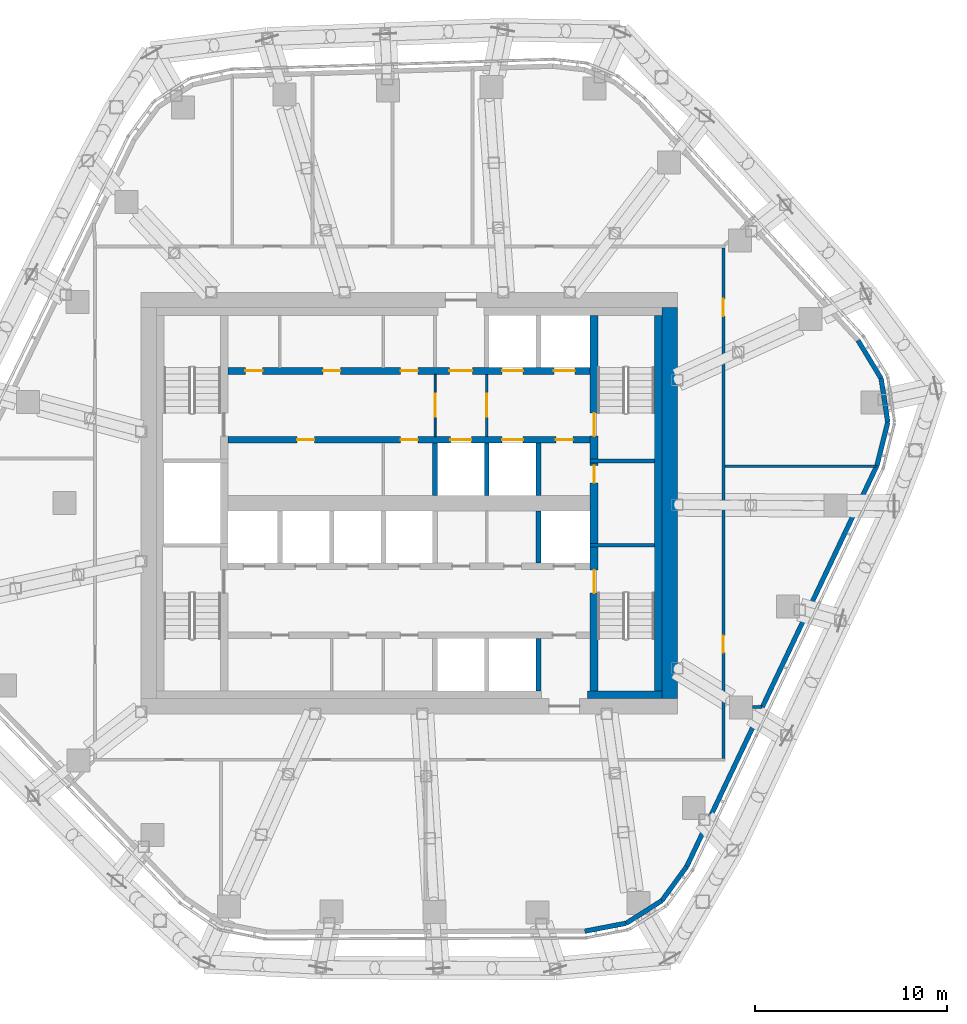
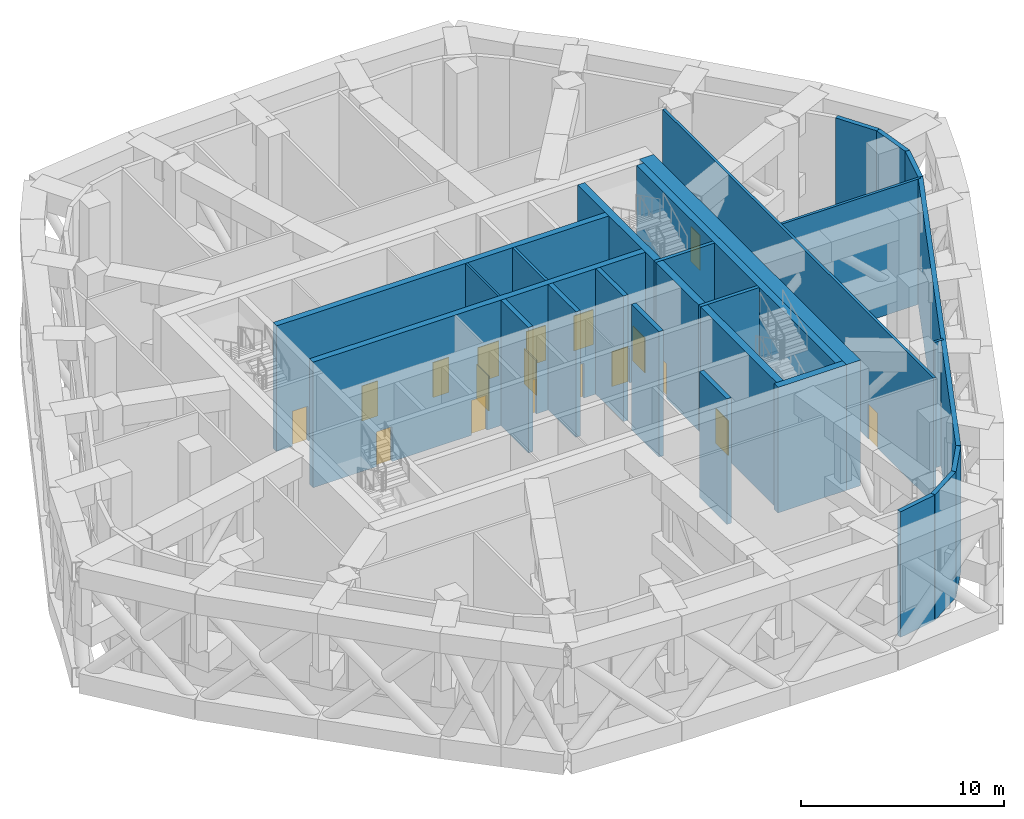
# One storey, part 12 of 21: 27 walls, 18 doors, 18 openings.
"""IFC4 building model written with IfcOpenShell, lengths in metres."""

from ifc_helpers import new_model, si_unit, direction, frame, frame_2d, origin, place, context, subcontext, project, spatial, rectangle, extrude, material, layer, layer_set, type_object, element, fill, save


model = new_model("IFC4")

# Units and contexts
model_context = context("Model", 3, precision=1e-05, world=origin(), true_north=direction((0.0, 1.0)))
body_context = subcontext(model_context, "Body", "Model", "MODEL_VIEW")
ifc_project = project(units=[si_unit("LENGTHUNIT", "METRE"), si_unit("AREAUNIT", "SQUARE_METRE"), si_unit("VOLUMEUNIT", "CUBIC_METRE"), si_unit("PLANEANGLEUNIT", "RADIAN"), si_unit("MASSUNIT", "GRAM", prefix="KILO")], contexts=[model_context])

# Site, building, storey
site_placement = place(None, origin())
site = spatial("IfcSite", under=ifc_project, at=site_placement, CompositionType="ELEMENT")
building_placement = place(site_placement, origin())
building = spatial("IfcBuilding", under=site, at=building_placement, Name="Dongbaek Canopy Tower", CompositionType="ELEMENT")
storey_placement = place(building_placement, frame((0.0, 0.0, 220.60009765625)))
storey = spatial("IfcBuildingStorey", under=building, at=storey_placement, Name="L46", CompositionType="ELEMENT", Elevation=220.60009765625)

# Wall, openings, doors
ifc_material_1 = material(Name="Concrete C60/75", Category="concrete")
ifc_layer_1 = layer(ifc_material_1, 0.35009765625)
ifc_layer_set_1 = layer_set([ifc_layer_1], Name="Core lobby wall 350 Concrete C60/75")
wall_type_1 = type_object("IfcWallType", Name="Core lobby wall 350 Concrete C60/75", PredefinedType="SHEAR", material=ifc_layer_set_1)
wall_1_placement = place(storey_placement, frame((-9.449951171875, 6.89990234375, 0.0), z_axis=(0.0, 0.0, 1.0), x_axis=(1.0, 0.0, 0.0)))
wall_1 = element("IfcWall", 1, at=wall_1_placement, inside=storey, type_object=wall_type_1, Name="Core wall", PredefinedType="SHEAR", context=body_context, shape_type="SweptSolid", body=[
    extrude(rectangle(XDim=18.89990234375, YDim=0.35009765625, at=frame_2d((9.449951171875, 0.0))), origin(), (0.0, 0.0, 1.0), 7.5498046875),
])
opening_1_placement = place(wall_1_placement, frame((11.550048828125, 0.0, 0.0)))
opening_1 = element("IfcOpeningElement", 2, at=opening_1_placement, cuts=wall_1, Name="Opening L46-D015", PredefinedType="OPENING", context=body_context, shape_type="SweptSolid", body=[
    extrude(rectangle(XDim=1.199951171875, YDim=2.10009765625, at=frame_2d((0.60009765625, 1.050048828125))), frame((0.0, 0.18505859375, 0.0), z_axis=(0.0, -1.0, 0.0), x_axis=(1.0, 0.0, 0.0)), (0.0, 0.0, 1.0), 0.3701171875),
])
opening_2_placement = place(wall_1_placement, frame((14.300048828125, 0.0, 0.0)))
opening_2 = element("IfcOpeningElement", 3, at=opening_2_placement, cuts=wall_1, Name="Opening L46-D016", PredefinedType="OPENING", context=body_context, shape_type="SweptSolid", body=[
    extrude(rectangle(XDim=1.10009765625, YDim=2.10009765625, at=frame_2d((0.550048828125, 1.050048828125))), frame((0.0, 0.18505859375, 0.0), z_axis=(0.0, -1.0, 0.0), x_axis=(1.0, 0.0, 0.0)), (0.0, 0.0, 1.0), 0.3701171875),
])
opening_3_placement = place(wall_1_placement, frame((17.0, 0.0, 0.0)))
opening_3 = element("IfcOpeningElement", 4, at=opening_3_placement, cuts=wall_1, Name="Opening L46-D017", PredefinedType="OPENING", context=body_context, shape_type="SweptSolid", body=[
    extrude(rectangle(XDim=1.10009765625, YDim=2.10009765625, at=frame_2d((0.550048828125, 1.050048828125))), frame((0.0, 0.18505859375, 0.0), z_axis=(0.0, -1.0, 0.0), x_axis=(1.0, 0.0, 0.0)), (0.0, 0.0, 1.0), 0.3701171875),
])
opening_4_placement = place(wall_1_placement, frame((0.89990234375, 0.0, 0.0)))
opening_4 = element("IfcOpeningElement", 5, at=opening_4_placement, cuts=wall_1, Name="Opening L46-D028", PredefinedType="OPENING", context=body_context, shape_type="SweptSolid", body=[
    extrude(rectangle(XDim=0.89990234375, YDim=2.10009765625, at=frame_2d((0.449951171875, 1.050048828125))), frame((0.0, 0.18505859375, 0.0), z_axis=(0.0, -1.0, 0.0), x_axis=(1.0, 0.0, 0.0)), (0.0, 0.0, 1.0), 0.3701171875),
])
opening_5_placement = place(wall_1_placement, frame((4.949951171875, 0.0, 0.0)))
opening_5 = element("IfcOpeningElement", 6, at=opening_5_placement, cuts=wall_1, Name="Opening L46-D029", PredefinedType="OPENING", context=body_context, shape_type="SweptSolid", body=[
    extrude(rectangle(XDim=0.89990234375, YDim=2.10009765625, at=frame_2d((0.449951171875, 1.050048828125))), frame((0.0, 0.18505859375, 0.0), z_axis=(0.0, -1.0, 0.0), x_axis=(1.0, 0.0, 0.0)), (0.0, 0.0, 1.0), 0.3701171875),
])
opening_6_placement = place(wall_1_placement, frame((9.0, 0.0, 0.0)))
opening_6 = element("IfcOpeningElement", 7, at=opening_6_placement, cuts=wall_1, Name="Opening L46-D030", PredefinedType="OPENING", context=body_context, shape_type="SweptSolid", body=[
    extrude(rectangle(XDim=0.89990234375, YDim=2.10009765625, at=frame_2d((0.449951171875, 1.050048828125))), frame((0.0, 0.18505859375, 0.0), z_axis=(0.0, -1.0, 0.0), x_axis=(1.0, 0.0, 0.0)), (0.0, 0.0, 1.0), 0.3701171875),
])
ifc_material_2 = material(Name="Steel", Category="steel")
door_type_1 = type_object("IfcDoorType", Name="Core room door 900 x 2100", OperationType="SINGLE_SWING_LEFT", PredefinedType="DOOR", material=ifc_material_2)
door_1_placement = place(opening_4_placement, origin())
door_1 = element("IfcDoor", 8, at=door_1_placement, inside=storey, type_object=door_type_1, Name="Door L46-D028", OperationType="SINGLE_SWING_RIGHT", OverallHeight=2.10009765625, OverallWidth=0.89990234375, PredefinedType="DOOR", context=body_context, shape_type="SweptSolid", body=[
    extrude(rectangle(XDim=0.89990234375, YDim=2.10009765625, at=frame_2d((0.449951171875, 1.050048828125))), frame((0.0, 0.02490234375, 0.0), z_axis=(0.0, -1.0, 0.0), x_axis=(1.0, 0.0, 0.0)), (0.0, 0.0, 1.0), 0.050048828125),
])
fill(opening_4, door_1)
door_2_placement = place(opening_5_placement, origin())
door_2 = element("IfcDoor", 9, at=door_2_placement, inside=storey, type_object=door_type_1, Name="Door L46-D029", OperationType="SINGLE_SWING_LEFT", OverallHeight=2.10009765625, OverallWidth=0.89990234375, PredefinedType="DOOR", context=body_context, shape_type="SweptSolid", body=[
    extrude(rectangle(XDim=0.89990234375, YDim=2.10009765625, at=frame_2d((0.449951171875, 1.050048828125))), frame((0.0, 0.02490234375, 0.0), z_axis=(0.0, -1.0, 0.0), x_axis=(1.0, 0.0, 0.0)), (0.0, 0.0, 1.0), 0.050048828125),
])
fill(opening_5, door_2)
door_3_placement = place(opening_6_placement, origin())
door_3 = element("IfcDoor", 10, at=door_3_placement, inside=storey, type_object=door_type_1, Name="Door L46-D030", OperationType="SINGLE_SWING_RIGHT", OverallHeight=2.10009765625, OverallWidth=0.89990234375, PredefinedType="DOOR", context=body_context, shape_type="SweptSolid", body=[
    extrude(rectangle(XDim=0.89990234375, YDim=2.10009765625, at=frame_2d((0.449951171875, 1.050048828125))), frame((0.0, 0.02490234375, 0.0), z_axis=(0.0, -1.0, 0.0), x_axis=(1.0, 0.0, 0.0)), (0.0, 0.0, 1.0), 0.050048828125),
])
fill(opening_6, door_3)
ifc_material_3 = material(Name="Steel", Category="steel")
door_type_2 = type_object("IfcDoorType", Name="Fire lobby door 1200 x 2100", OperationType="SINGLE_SWING_LEFT", PredefinedType="DOOR", material=ifc_material_3)
door_4_placement = place(opening_1_placement, origin())
door_4 = element("IfcDoor", 11, at=door_4_placement, inside=storey, type_object=door_type_2, Name="Door L46-D015", OperationType="SINGLE_SWING_LEFT", OverallHeight=2.10009765625, OverallWidth=1.199951171875, PredefinedType="DOOR", context=body_context, shape_type="SweptSolid", body=[
    extrude(rectangle(XDim=1.199951171875, YDim=2.10009765625, at=frame_2d((0.60009765625, 1.050048828125))), frame((0.0, 0.02490234375, 0.0), z_axis=(0.0, -1.0, 0.0), x_axis=(1.0, 0.0, 0.0)), (0.0, 0.0, 1.0), 0.050048828125),
])
fill(opening_1, door_4)
ifc_material_4 = material(Name="Stainless steel", Category="steel")
door_type_3 = type_object("IfcDoorType", Name="Lift landing door 1100 x 2100", OperationType="DOUBLE_DOOR_SLIDING", PredefinedType="DOOR", material=ifc_material_4)
door_5_placement = place(opening_2_placement, origin())
door_5 = element("IfcDoor", 12, at=door_5_placement, inside=storey, type_object=door_type_3, Name="Landing door FF1", OperationType="DOUBLE_DOOR_SLIDING", OverallHeight=2.10009765625, OverallWidth=1.10009765625, PredefinedType="DOOR", context=body_context, shape_type="SweptSolid", body=[
    extrude(rectangle(XDim=1.10009765625, YDim=2.10009765625, at=frame_2d((0.550048828125, 1.050048828125))), frame((0.0, 0.02490234375, 0.0), z_axis=(0.0, -1.0, 0.0), x_axis=(1.0, 0.0, 0.0)), (0.0, 0.0, 1.0), 0.050048828125),
])
fill(opening_2, door_5)
door_6_placement = place(opening_3_placement, origin())
door_6 = element("IfcDoor", 13, at=door_6_placement, inside=storey, type_object=door_type_3, Name="Landing door FF2", OperationType="DOUBLE_DOOR_SLIDING", OverallHeight=2.10009765625, OverallWidth=1.10009765625, PredefinedType="DOOR", context=body_context, shape_type="SweptSolid", body=[
    extrude(rectangle(XDim=1.10009765625, YDim=2.10009765625, at=frame_2d((0.550048828125, 1.050048828125))), frame((0.0, 0.02490234375, 0.0), z_axis=(0.0, -1.0, 0.0), x_axis=(1.0, 0.0, 0.0)), (0.0, 0.0, 1.0), 0.050048828125),
])
fill(opening_3, door_6)

wall_2_placement = place(storey_placement, frame((9.449951171875, 3.300048828125, 0.0), z_axis=(0.0, 0.0, 1.0), x_axis=(-1.0, 0.0, 0.0)))
wall_2 = element("IfcWall", 14, at=wall_2_placement, inside=storey, type_object=wall_type_1, Name="Core wall", PredefinedType="SHEAR", context=body_context, shape_type="SweptSolid", body=[
    extrude(rectangle(XDim=18.89990234375, YDim=0.35009765625, at=frame_2d((9.449951171875, 0.0))), origin(), (0.0, 0.0, 1.0), 7.5498046875),
])
opening_7_placement = place(wall_2_placement, frame((6.199951171875, 0.0, 0.0)))
opening_7 = element("IfcOpeningElement", 15, at=opening_7_placement, cuts=wall_2, Name="Opening L46-D018", PredefinedType="OPENING", context=body_context, shape_type="SweptSolid", body=[
    extrude(rectangle(XDim=1.10009765625, YDim=2.10009765625, at=frame_2d((0.550048828125, 1.050048828125))), frame((0.0, 0.18505859375, 0.0), z_axis=(0.0, -1.0, 0.0), x_axis=(1.0, 0.0, 0.0)), (0.0, 0.0, 1.0), 0.3701171875),
])
opening_8_placement = place(wall_2_placement, frame((3.5, 0.0, 0.0)))
opening_8 = element("IfcOpeningElement", 16, at=opening_8_placement, cuts=wall_2, Name="Opening L46-D019", PredefinedType="OPENING", context=body_context, shape_type="SweptSolid", body=[
    extrude(rectangle(XDim=1.10009765625, YDim=2.10009765625, at=frame_2d((0.550048828125, 1.050048828125))), frame((0.0, 0.18505859375, 0.0), z_axis=(0.0, -1.0, 0.0), x_axis=(1.0, 0.0, 0.0)), (0.0, 0.0, 1.0), 0.3701171875),
])
opening_9_placement = place(wall_2_placement, frame((0.89990234375, 0.0, 0.0)))
opening_9 = element("IfcOpeningElement", 17, at=opening_9_placement, cuts=wall_2, Name="Opening L46-D020", PredefinedType="OPENING", context=body_context, shape_type="SweptSolid", body=[
    extrude(rectangle(XDim=0.89990234375, YDim=2.10009765625, at=frame_2d((0.449951171875, 1.050048828125))), frame((0.0, 0.18505859375, 0.0), z_axis=(0.0, -1.0, 0.0), x_axis=(1.0, 0.0, 0.0)), (0.0, 0.0, 1.0), 0.3701171875),
])
opening_10_placement = place(wall_2_placement, frame((14.39990234375, 0.0, 0.0)))
opening_10 = element("IfcOpeningElement", 18, at=opening_10_placement, cuts=wall_2, Name="Opening L46-D031", PredefinedType="OPENING", context=body_context, shape_type="SweptSolid", body=[
    extrude(rectangle(XDim=0.89990234375, YDim=2.10009765625, at=frame_2d((0.449951171875, 1.050048828125))), frame((0.0, 0.18505859375, 0.0), z_axis=(0.0, -1.0, 0.0), x_axis=(1.0, 0.0, 0.0)), (0.0, 0.0, 1.0), 0.3701171875),
])
opening_11_placement = place(wall_2_placement, frame((9.0, 0.0, 0.0)))
opening_11 = element("IfcOpeningElement", 19, at=opening_11_placement, cuts=wall_2, Name="Opening L46-D032", PredefinedType="OPENING", context=body_context, shape_type="SweptSolid", body=[
    extrude(rectangle(XDim=0.89990234375, YDim=2.10009765625, at=frame_2d((0.449951171875, 1.050048828125))), frame((0.0, 0.18505859375, 0.0), z_axis=(0.0, -1.0, 0.0), x_axis=(1.0, 0.0, 0.0)), (0.0, 0.0, 1.0), 0.3701171875),
])
door_7_placement = place(opening_9_placement, origin())
door_7 = element("IfcDoor", 20, at=door_7_placement, inside=storey, type_object=door_type_1, Name="Door L46-D020", OperationType="SINGLE_SWING_LEFT", OverallHeight=2.10009765625, OverallWidth=0.89990234375, PredefinedType="DOOR", context=body_context, shape_type="SweptSolid", body=[
    extrude(rectangle(XDim=0.89990234375, YDim=2.10009765625, at=frame_2d((0.449951171875, 1.050048828125))), frame((0.0, 0.02490234375, 0.0), z_axis=(0.0, -1.0, 0.0), x_axis=(1.0, 0.0, 0.0)), (0.0, 0.0, 1.0), 0.050048828125),
])
fill(opening_9, door_7)
door_8_placement = place(opening_10_placement, origin())
door_8 = element("IfcDoor", 21, at=door_8_placement, inside=storey, type_object=door_type_1, Name="Door L46-D031", OperationType="SINGLE_SWING_LEFT", OverallHeight=2.10009765625, OverallWidth=0.89990234375, PredefinedType="DOOR", context=body_context, shape_type="SweptSolid", body=[
    extrude(rectangle(XDim=0.89990234375, YDim=2.10009765625, at=frame_2d((0.449951171875, 1.050048828125))), frame((0.0, 0.02490234375, 0.0), z_axis=(0.0, -1.0, 0.0), x_axis=(1.0, 0.0, 0.0)), (0.0, 0.0, 1.0), 0.050048828125),
])
fill(opening_10, door_8)
door_9_placement = place(opening_11_placement, origin())
door_9 = element("IfcDoor", 22, at=door_9_placement, inside=storey, type_object=door_type_1, Name="Door L46-D032", OperationType="SINGLE_SWING_RIGHT", OverallHeight=2.10009765625, OverallWidth=0.89990234375, PredefinedType="DOOR", context=body_context, shape_type="SweptSolid", body=[
    extrude(rectangle(XDim=0.89990234375, YDim=2.10009765625, at=frame_2d((0.449951171875, 1.050048828125))), frame((0.0, 0.02490234375, 0.0), z_axis=(0.0, -1.0, 0.0), x_axis=(1.0, 0.0, 0.0)), (0.0, 0.0, 1.0), 0.050048828125),
])
fill(opening_11, door_9)
door_10_placement = place(opening_7_placement, origin())
door_10 = element("IfcDoor", 23, at=door_10_placement, inside=storey, type_object=door_type_3, Name="Landing door SV1", OperationType="DOUBLE_DOOR_SLIDING", OverallHeight=2.10009765625, OverallWidth=1.10009765625, PredefinedType="DOOR", context=body_context, shape_type="SweptSolid", body=[
    extrude(rectangle(XDim=1.10009765625, YDim=2.10009765625, at=frame_2d((0.550048828125, 1.050048828125))), frame((0.0, 0.02490234375, 0.0), z_axis=(0.0, -1.0, 0.0), x_axis=(1.0, 0.0, 0.0)), (0.0, 0.0, 1.0), 0.050048828125),
])
fill(opening_7, door_10)
door_11_placement = place(opening_8_placement, origin())
door_11 = element("IfcDoor", 24, at=door_11_placement, inside=storey, type_object=door_type_3, Name="Landing door FF3", OperationType="DOUBLE_DOOR_SLIDING", OverallHeight=2.10009765625, OverallWidth=1.10009765625, PredefinedType="DOOR", context=body_context, shape_type="SweptSolid", body=[
    extrude(rectangle(XDim=1.10009765625, YDim=2.10009765625, at=frame_2d((0.550048828125, 1.050048828125))), frame((0.0, 0.02490234375, 0.0), z_axis=(0.0, -1.0, 0.0), x_axis=(1.0, 0.0, 0.0)), (0.0, 0.0, 1.0), 0.050048828125),
])
fill(opening_8, door_11)

# Walls
ifc_material_5 = material(Name="Concrete C70/85", Category="concrete")
ifc_layer_2 = layer(ifc_material_5, 0.800048828125)
ifc_layer_set_2 = layer_set([ifc_layer_2], Name="Core outer wall 800 Concrete C70/85")
wall_type_2 = type_object("IfcWallType", Name="Core outer wall 800 Concrete C70/85", PredefinedType="SHEAR", material=ifc_layer_set_2)
wall_3_placement = place(storey_placement, frame((13.60009765625, 10.199951171875, 0.0), z_axis=(0.0, 0.0, 1.0), x_axis=(0.0, -1.0, 0.0)))
element("IfcWall", 25, at=wall_3_placement, inside=storey, type_object=wall_type_2, Name="Core wall", PredefinedType="SHEAR", context=body_context, shape_type="SweptSolid", body=[
    extrude(rectangle(XDim=20.39990234375, YDim=0.800048828125, at=frame_2d((10.199951171875, 0.0))), origin(), (0.0, 0.0, 1.0), 7.5498046875),
])
ifc_material_6 = material(Name="Concrete C60/75", Category="concrete")
ifc_layer_3 = layer(ifc_material_6, 0.39990234375)
ifc_layer_set_3 = layer_set([ifc_layer_3], Name="Core wall lining 400 Concrete C60/75")
wall_type_3 = type_object("IfcWallType", Name="Core wall lining 400 Concrete C60/75", PredefinedType="SHEAR", material=ifc_layer_set_3)
wall_4_placement = place(storey_placement, frame((13.199951171875, -10.0, 0.0), z_axis=(0.0, 0.0, 1.0), x_axis=(-1.0, 0.0, 0.0)))
element("IfcWall", 26, at=wall_4_placement, inside=storey, type_object=wall_type_3, Name="Core wall lining", PredefinedType="SHEAR", context=body_context, shape_type="SweptSolid", body=[
    extrude(rectangle(XDim=3.89990234375, YDim=0.39990234375, at=frame_2d((1.949951171875, 0.0))), origin(), (0.0, 0.0, 1.0), 7.5498046875),
])
wall_5_placement = place(storey_placement, frame((13.0, 9.800048828125, 0.0), z_axis=(0.0, 0.0, 1.0), x_axis=(0.0, -1.0, 0.0)))
element("IfcWall", 27, at=wall_5_placement, inside=storey, type_object=wall_type_3, Name="Core wall lining", PredefinedType="SHEAR", context=body_context, shape_type="SweptSolid", body=[
    extrude(rectangle(XDim=19.60009765625, YDim=0.39990234375, at=frame_2d((9.800048828125, 0.0))), origin(), (0.0, 0.0, 1.0), 7.5498046875),
])
ifc_material_7 = material(Name="Gypsum board partition, steel stud, 2 x 15 mm fire board", Category="steel")
ifc_layer_4 = layer(ifc_material_7, 0.14990234375)
ifc_layer_set_4 = layer_set([ifc_layer_4], Name="Fire-rated partition 150 gypsum board")
wall_type_4 = type_object("IfcWallType", Name="Fire-rated partition 150 gypsum board", PredefinedType="PARTITIONING", material=ifc_layer_set_4)
wall_6_placement = place(storey_placement, frame((17.922119140625, -10.64501953125, 0.0), z_axis=(0.0, 0.0, 1.0), x_axis=(1.0, 0.0, 0.0)))
element("IfcWall", 28, at=wall_6_placement, inside=storey, type_object=wall_type_4, Name="Corridor partition", PredefinedType="PARTITIONING", context=body_context, shape_type="SweptSolid", body=[
    extrude(rectangle(XDim=0.49853515625, YDim=0.14990234375, at=frame_2d((0.249267578125, 0.0))), origin(), (0.0, 0.0, 1.0), 7.5498046875),
])
wall_7_placement = place(storey_placement, frame((16.47509765625, 1.927001953125, 0.0), z_axis=(0.0, 0.0, 1.0), x_axis=(1.0, 0.0, 0.0)))
element("IfcWall", 29, at=wall_7_placement, inside=storey, type_object=wall_type_4, Name="Corridor partition", PredefinedType="PARTITIONING", context=body_context, shape_type="SweptSolid", body=[
    extrude(rectangle(XDim=7.908447265625, YDim=0.14990234375, at=frame_2d((3.9541015625, 0.0))), origin(), (0.0, 0.0, 1.0), 7.5498046875),
])

# Wall, openings, doors
wall_8_placement = place(storey_placement, frame((16.39990234375, 13.324951171875, 0.0), z_axis=(0.0, 0.0, 1.0), x_axis=(0.0, -1.0, 0.0)))
wall_8 = element("IfcWall", 30, at=wall_8_placement, inside=storey, type_object=wall_type_4, Name="Corridor partition", PredefinedType="PARTITIONING", context=body_context, shape_type="SweptSolid", body=[
    extrude(rectangle(XDim=26.64990234375, YDim=0.14990234375, at=frame_2d((13.324951171875, 0.0))), origin(), (0.0, 0.0, 1.0), 7.5498046875),
])
opening_12_placement = place(wall_8_placement, frame((20.238525390625, 0.0, 0.0)))
opening_12 = element("IfcOpeningElement", 31, at=opening_12_placement, cuts=wall_8, Name="Opening L46-D005", PredefinedType="OPENING", context=body_context, shape_type="SweptSolid", body=[
    extrude(rectangle(XDim=0.89990234375, YDim=2.10009765625, at=frame_2d((0.449951171875, 1.050048828125))), frame((0.0, 0.0849609375, 0.0), z_axis=(0.0, -1.0, 0.0), x_axis=(1.0, 0.0, 0.0)), (0.0, 0.0, 1.0), 0.169921875),
])
opening_13_placement = place(wall_8_placement, frame((2.66796875, 0.0, 0.0)))
opening_13 = element("IfcOpeningElement", 32, at=opening_13_placement, cuts=wall_8, Name="Opening L46-D006", PredefinedType="OPENING", context=body_context, shape_type="SweptSolid", body=[
    extrude(rectangle(XDim=0.89990234375, YDim=2.10009765625, at=frame_2d((0.449951171875, 1.050048828125))), frame((0.0, 0.0849609375, 0.0), z_axis=(0.0, -1.0, 0.0), x_axis=(1.0, 0.0, 0.0)), (0.0, 0.0, 1.0), 0.169921875),
])
ifc_material_8 = material(Name="Timber veneered door leaf", Category="wood")
door_type_4 = type_object("IfcDoorType", Name="Store door 900 x 2100", OperationType="SINGLE_SWING_LEFT", PredefinedType="DOOR", material=ifc_material_8)
door_12_placement = place(opening_12_placement, origin())
door_12 = element("IfcDoor", 33, at=door_12_placement, inside=storey, type_object=door_type_4, Name="Door L46-D005", OperationType="SINGLE_SWING_RIGHT", OverallHeight=2.10009765625, OverallWidth=0.89990234375, PredefinedType="DOOR", context=body_context, shape_type="SweptSolid", body=[
    extrude(rectangle(XDim=0.89990234375, YDim=2.10009765625, at=frame_2d((0.449951171875, 1.050048828125))), frame((0.0, 0.02490234375, 0.0), z_axis=(0.0, -1.0, 0.0), x_axis=(1.0, 0.0, 0.0)), (0.0, 0.0, 1.0), 0.050048828125),
])
fill(opening_12, door_12)
door_13_placement = place(opening_13_placement, origin())
door_13 = element("IfcDoor", 34, at=door_13_placement, inside=storey, type_object=door_type_4, Name="Door L46-D006", OperationType="SINGLE_SWING_LEFT", OverallHeight=2.10009765625, OverallWidth=0.89990234375, PredefinedType="DOOR", context=body_context, shape_type="SweptSolid", body=[
    extrude(rectangle(XDim=0.89990234375, YDim=2.10009765625, at=frame_2d((0.449951171875, 1.050048828125))), frame((0.0, 0.02490234375, 0.0), z_axis=(0.0, -1.0, 0.0), x_axis=(1.0, 0.0, 0.0)), (0.0, 0.0, 1.0), 0.050048828125),
])
fill(opening_13, door_13)

# Wall, opening, door
wall_9_placement = place(storey_placement, frame((4.050048828125, 6.72509765625, 0.0), z_axis=(0.0, 0.0, 1.0), x_axis=(0.0, -1.0, 0.0)))
wall_9 = element("IfcWall", 35, at=wall_9_placement, inside=storey, type_object=wall_type_4, Name="Fire lobby partition", PredefinedType="PARTITIONING", context=body_context, shape_type="SweptSolid", body=[
    extrude(rectangle(XDim=3.25, YDim=0.14990234375, at=frame_2d((1.625, 0.0))), origin(), (0.0, 0.0, 1.0), 7.5498046875),
])
opening_14_placement = place(wall_9_placement, frame((1.02490234375, 0.0, 0.0)))
opening_14 = element("IfcOpeningElement", 36, at=opening_14_placement, cuts=wall_9, Name="Opening L46-D043", PredefinedType="OPENING", context=body_context, shape_type="SweptSolid", body=[
    extrude(rectangle(XDim=1.199951171875, YDim=2.10009765625, at=frame_2d((0.60009765625, 1.050048828125))), frame((0.0, 0.0849609375, 0.0), z_axis=(0.0, -1.0, 0.0), x_axis=(1.0, 0.0, 0.0)), (0.0, 0.0, 1.0), 0.169921875),
])
door_14_placement = place(opening_14_placement, origin())
door_14 = element("IfcDoor", 37, at=door_14_placement, inside=storey, type_object=door_type_2, Name="Door L46-D043", OperationType="SINGLE_SWING_RIGHT", OverallHeight=2.10009765625, OverallWidth=1.199951171875, PredefinedType="DOOR", context=body_context, shape_type="SweptSolid", body=[
    extrude(rectangle(XDim=1.199951171875, YDim=2.10009765625, at=frame_2d((0.60009765625, 1.050048828125))), frame((0.0, 0.02490234375, 0.0), z_axis=(0.0, -1.0, 0.0), x_axis=(1.0, 0.0, 0.0)), (0.0, 0.0, 1.0), 0.050048828125),
])
fill(opening_14, door_14)

# Walls
ifc_material_9 = material(Name="Concrete C40/50", Category="concrete")
ifc_layer_5 = layer(ifc_material_9, 0.25)
ifc_layer_set_5 = layer_set([ifc_layer_5], Name="Lift shaft wall 250 Concrete C40/50")
wall_type_5 = type_object("IfcWallType", Name="Lift shaft wall 250 Concrete C40/50", PredefinedType="SOLIDWALL", material=ifc_layer_set_5)
for number, where, z_axis, x_axis, name in (
    (38, (6.75, -9.800048828125, 0.0), (0.0, 0.0, 1.0), (0.0, 1.0, 0.0), "Lift shaft wall"),
    (39, (6.75, -3.125, 0.0), (0.0, 0.0, 1.0), (0.0, 1.0, 0.0), "Lift shaft wall"),
    (40, (6.75, 0.39990234375, 0.0), (0.0, 0.0, 1.0), (0.0, 1.0, 0.0), "Lift shaft wall"),
    (41, (4.050048828125, 0.39990234375, 0.0), (0.0, 0.0, 1.0), (0.0, 1.0, 0.0), "Lift shaft wall"),
    (42, (1.35009765625, 0.39990234375, 0.0), (0.0, 0.0, 1.0), (0.0, 1.0, 0.0), "Lift shaft wall"),
):
    element("IfcWall", number, at=place(storey_placement, frame(where, z_axis=z_axis, x_axis=x_axis)), inside=storey, type_object=wall_type_5, Name=name, PredefinedType="SOLIDWALL", context=body_context, shape_type="SweptSolid", body=[
        extrude(rectangle(XDim=2.72509765625, YDim=0.25, at=frame_2d((1.362548828125, 0.0))), origin(), (0.0, 0.0, 1.0), 7.5498046875),
    ])

# Wall, opening, door
ifc_material_10 = material(Name="Gypsum board partition, steel stud, 2 x 12.5 mm board", Category="steel")
ifc_layer_6 = layer(ifc_material_10, 0.10009765625)
ifc_layer_set_6 = layer_set([ifc_layer_6], Name="Partition 100 gypsum board")
wall_type_6 = type_object("IfcWallType", Name="Partition 100 gypsum board", PredefinedType="PARTITIONING", material=ifc_layer_set_6)
wall_10_placement = place(storey_placement, frame((1.35009765625, 6.72509765625, 0.0), z_axis=(0.0, 0.0, 1.0), x_axis=(0.0, -1.0, 0.0)))
wall_10 = element("IfcWall", 43, at=wall_10_placement, inside=storey, type_object=wall_type_6, Name="Core partition", PredefinedType="PARTITIONING", context=body_context, shape_type="SweptSolid", body=[
    extrude(rectangle(XDim=3.25, YDim=0.10009765625, at=frame_2d((1.625, 0.0))), origin(), (0.0, 0.0, 1.0), 7.5498046875),
])
opening_15_placement = place(wall_10_placement, frame((1.02490234375, 0.0, 0.0)))
opening_15 = element("IfcOpeningElement", 44, at=opening_15_placement, cuts=wall_10, Name="Opening L46-D042", PredefinedType="OPENING", context=body_context, shape_type="SweptSolid", body=[
    extrude(rectangle(XDim=1.199951171875, YDim=2.10009765625, at=frame_2d((0.60009765625, 1.050048828125))), frame((0.0, 0.06005859375, 0.0), z_axis=(0.0, -1.0, 0.0), x_axis=(1.0, 0.0, 0.0)), (0.0, 0.0, 1.0), 0.1201171875),
])
door_15_placement = place(opening_15_placement, origin())
door_15 = element("IfcDoor", 45, at=door_15_placement, inside=storey, type_object=door_type_2, Name="Door L46-D042", OperationType="SINGLE_SWING_LEFT", OverallHeight=2.10009765625, OverallWidth=1.199951171875, PredefinedType="DOOR", context=body_context, shape_type="SweptSolid", body=[
    extrude(rectangle(XDim=1.199951171875, YDim=2.10009765625, at=frame_2d((0.60009765625, 1.050048828125))), frame((0.0, 0.02490234375, 0.0), z_axis=(0.0, -1.0, 0.0), x_axis=(1.0, 0.0, 0.0)), (0.0, 0.0, 1.0), 0.050048828125),
])
fill(opening_15, door_15)

# Walls
ifc_material_11 = material(Name="Pale metal cladding on insulated wall")
ifc_layer_7 = layer(ifc_material_11, 0.25)
ifc_layer_set_7 = layer_set([ifc_layer_7], Name="Plant floor wall 250")
wall_type_7 = type_object("IfcWallType", Name="Plant floor wall 250", PredefinedType="SOLIDWALL", material=ifc_layer_set_7)
wall_11_placement = place(storey_placement, frame((24.421875, 1.9609375, 0.0), z_axis=(0.0, 0.0, 1.0), x_axis=(0.242757873534, 0.970086910971, 0.0)))
element("IfcWall", 46, at=wall_11_placement, inside=storey, type_object=wall_type_7, Name="Plant wall L46 K0 1", PredefinedType="SOLIDWALL", context=body_context, shape_type="SweptSolid", body=[
    extrude(rectangle(XDim=2.326171875, YDim=0.25, at=frame_2d((1.1630859375, 0.0))), origin(), (0.0, 0.0, 1.0), 7.5498046875),
])
wall_12_placement = place(storey_placement, frame((24.986572265625, 4.217529296875, 0.0), z_axis=(0.0, 0.0, 1.0), x_axis=(-0.149371313853, 0.988781174274, 0.0)))
element("IfcWall", 47, at=wall_12_placement, inside=storey, type_object=wall_type_7, Name="Plant wall L46 K0 2", PredefinedType="SOLIDWALL", context=body_context, shape_type="SweptSolid", body=[
    extrude(rectangle(XDim=2.31591796875, YDim=0.25, at=frame_2d((1.157958984375, 0.0))), origin(), (0.0, 0.0, 1.0), 7.5498046875),
])
wall_13_placement = place(storey_placement, frame((24.640625, 6.507568359375, 0.0), z_axis=(0.0, 0.0, 1.0), x_axis=(-0.518687790658, 0.854963727782, 0.0)))
element("IfcWall", 48, at=wall_13_placement, inside=storey, type_object=wall_type_7, Name="Plant wall L46 K0 3", PredefinedType="SOLIDWALL", context=body_context, shape_type="SweptSolid", body=[
    extrude(rectangle(XDim=2.326171875, YDim=0.25, at=frame_2d((1.1630859375, 0.0))), origin(), (0.0, 0.0, 1.0), 7.5498046875),
])
wall_14_placement = place(storey_placement, frame((9.166015625, -22.354736328125, 0.0), z_axis=(0.0, 0.0, 1.0), x_axis=(0.981897444966, 0.189413324688, 0.0)))
element("IfcWall", 49, at=wall_14_placement, inside=storey, type_object=wall_type_7, Name="Plant wall L46 K5 1", PredefinedType="SOLIDWALL", context=body_context, shape_type="SweptSolid", body=[
    extrude(rectangle(XDim=2.2080078125, YDim=0.25, at=frame_2d((1.10400390625, 0.0))), origin(), (0.0, 0.0, 1.0), 7.5498046875),
])
wall_15_placement = place(storey_placement, frame((11.333984375, -21.9365234375, 0.0), z_axis=(0.0, 0.0, 1.0), x_axis=(0.844360333602, 0.53577572457, 0.0)))
element("IfcWall", 50, at=wall_15_placement, inside=storey, type_object=wall_type_7, Name="Plant wall L46 K5 2", PredefinedType="SOLIDWALL", context=body_context, shape_type="SweptSolid", body=[
    extrude(rectangle(XDim=2.19873046875, YDim=0.25, at=frame_2d((1.099365234375, 0.0))), origin(), (0.0, 0.0, 1.0), 7.5498046875),
])
wall_16_placement = place(storey_placement, frame((13.1904296875, -20.758544921875, 0.0), z_axis=(0.0, 0.0, 1.0), x_axis=(0.589439820184, 0.807812291552, 0.0)))
element("IfcWall", 51, at=wall_16_placement, inside=storey, type_object=wall_type_7, Name="Plant wall L46 K5 3", PredefinedType="SOLIDWALL", context=body_context, shape_type="SweptSolid", body=[
    extrude(rectangle(XDim=2.2080078125, YDim=0.25, at=frame_2d((1.10400390625, 0.0))), origin(), (0.0, 0.0, 1.0), 7.5498046875),
])
wall_17_placement = place(storey_placement, frame((14.491943359375, -18.974853515625, 0.0), z_axis=(0.0, 0.0, 1.0), x_axis=(0.428543737813, 0.903521037265, 0.0)))
element("IfcWall", 52, at=wall_17_placement, inside=storey, type_object=wall_type_7, Name="Plant wall L46 F5 1", PredefinedType="SOLIDWALL", context=body_context, shape_type="SweptSolid", body=[
    extrude(rectangle(XDim=23.17138671875, YDim=0.25, at=frame_2d((11.585693359375, 0.0))), origin(), (0.0, 0.0, 1.0), 7.5498046875),
])
ifc_material_12 = material(Name="Concrete C60/75", Category="concrete")
ifc_layer_8 = layer(ifc_material_12, 0.199951171875)
ifc_layer_set_8 = layer_set([ifc_layer_8], Name="Riser wall 200 Concrete C60/75")
wall_type_8 = type_object("IfcWallType", Name="Riser wall 200 Concrete C60/75", PredefinedType="SHEAR", material=ifc_layer_set_8)
for number, where, z_axis, x_axis, name in (
    (53, (9.449951171875, 2.199951171875, 0.0), (0.0, 0.0, 1.0), (1.0, 0.0, 0.0), "Riser wall"),
    (54, (9.449951171875, -2.199951171875, 0.0), (0.0, 0.0, 1.0), (1.0, 0.0, 0.0), "Riser wall"),
):
    element("IfcWall", number, at=place(storey_placement, frame(where, z_axis=z_axis, x_axis=x_axis)), inside=storey, type_object=wall_type_8, Name=name, PredefinedType="SHEAR", context=body_context, shape_type="SweptSolid", body=[
        extrude(rectangle(XDim=3.35009765625, YDim=0.199951171875, at=frame_2d((1.675048828125, 0.0))), origin(), (0.0, 0.0, 1.0), 7.5498046875),
    ])

# Wall, opening, door
ifc_material_13 = material(Name="Concrete C60/75", Category="concrete")
ifc_layer_9 = layer(ifc_material_13, 0.39990234375)
ifc_layer_set_9 = layer_set([ifc_layer_9], Name="Stair wall 400 Concrete C60/75")
wall_type_9 = type_object("IfcWallType", Name="Stair wall 400 Concrete C60/75", PredefinedType="SHEAR", material=ifc_layer_set_9)
wall_18_placement = place(storey_placement, frame((9.64990234375, -2.300048828125, 0.0), z_axis=(0.0, 0.0, 1.0), x_axis=(0.0, -1.0, 0.0)))
wall_18 = element("IfcWall", 55, at=wall_18_placement, inside=storey, type_object=wall_type_9, Name="Stair wall", PredefinedType="SHEAR", context=body_context, shape_type="SweptSolid", body=[
    extrude(rectangle(XDim=7.5, YDim=0.39990234375, at=frame_2d((3.75, 0.0))), origin(), (0.0, 0.0, 1.0), 7.5498046875),
])
opening_16_placement = place(wall_18_placement, frame((1.199951171875, 0.0, 0.0)))
opening_16 = element("IfcOpeningElement", 56, at=opening_16_placement, cuts=wall_18, Name="Opening L46-D040", PredefinedType="OPENING", context=body_context, shape_type="SweptSolid", body=[
    extrude(rectangle(XDim=1.199951171875, YDim=2.10009765625, at=frame_2d((0.60009765625, 1.050048828125))), frame((0.0, 0.2099609375, 0.0), z_axis=(0.0, -1.0, 0.0), x_axis=(1.0, 0.0, 0.0)), (0.0, 0.0, 1.0), 0.419921875),
])
ifc_material_14 = material(Name="Steel", Category="steel")
door_type_5 = type_object("IfcDoorType", Name="Stair door 1200 x 2100", OperationType="SINGLE_SWING_LEFT", PredefinedType="DOOR", material=ifc_material_14)
door_16_placement = place(opening_16_placement, origin())
door_16 = element("IfcDoor", 57, at=door_16_placement, inside=storey, type_object=door_type_5, Name="Stair B door", OperationType="SINGLE_SWING_RIGHT", OverallHeight=2.10009765625, OverallWidth=1.199951171875, PredefinedType="DOOR", context=body_context, shape_type="SweptSolid", body=[
    extrude(rectangle(XDim=1.199951171875, YDim=2.10009765625, at=frame_2d((0.60009765625, 1.050048828125))), frame((0.0, 0.02490234375, 0.0), z_axis=(0.0, -1.0, 0.0), x_axis=(1.0, 0.0, 0.0)), (0.0, 0.0, 1.0), 0.050048828125),
])
fill(opening_16, door_16)

wall_19_placement = place(storey_placement, frame((9.64990234375, 2.10009765625, 0.0), z_axis=(0.0, 0.0, 1.0), x_axis=(0.0, -1.0, 0.0)))
wall_19 = element("IfcWall", 58, at=wall_19_placement, inside=storey, type_object=wall_type_9, Name="Stair wall", PredefinedType="SHEAR", context=body_context, shape_type="SweptSolid", body=[
    extrude(rectangle(XDim=4.2001953125, YDim=0.39990234375, at=frame_2d((2.10009765625, 0.0))), origin(), (0.0, 0.0, 1.0), 7.5498046875),
])
opening_17_placement = place(wall_19_placement, frame((0.14990234375, 0.0, 0.0)))
opening_17 = element("IfcOpeningElement", 59, at=opening_17_placement, cuts=wall_19, Name="Opening L46-D013", PredefinedType="OPENING", context=body_context, shape_type="SweptSolid", body=[
    extrude(rectangle(XDim=0.89990234375, YDim=2.10009765625, at=frame_2d((0.449951171875, 1.050048828125))), frame((0.0, 0.2099609375, 0.0), z_axis=(0.0, -1.0, 0.0), x_axis=(1.0, 0.0, 0.0)), (0.0, 0.0, 1.0), 0.419921875),
])
door_17_placement = place(opening_17_placement, origin())
door_17 = element("IfcDoor", 60, at=door_17_placement, inside=storey, type_object=door_type_1, Name="Door L46-D013", OperationType="SINGLE_SWING_RIGHT", OverallHeight=2.10009765625, OverallWidth=0.89990234375, PredefinedType="DOOR", context=body_context, shape_type="SweptSolid", body=[
    extrude(rectangle(XDim=0.89990234375, YDim=2.10009765625, at=frame_2d((0.449951171875, 1.050048828125))), frame((0.0, 0.02490234375, 0.0), z_axis=(0.0, -1.0, 0.0), x_axis=(1.0, 0.0, 0.0)), (0.0, 0.0, 1.0), 0.050048828125),
])
fill(opening_17, door_17)

wall_20_placement = place(storey_placement, frame((9.64990234375, 9.800048828125, 0.0), z_axis=(0.0, 0.0, 1.0), x_axis=(0.0, -1.0, 0.0)))
wall_20 = element("IfcWall", 61, at=wall_20_placement, inside=storey, type_object=wall_type_9, Name="Stair wall", PredefinedType="SHEAR", context=body_context, shape_type="SweptSolid", body=[
    extrude(rectangle(XDim=7.5, YDim=0.39990234375, at=frame_2d((3.75, 0.0))), origin(), (0.0, 0.0, 1.0), 7.5498046875),
])
opening_18_placement = place(wall_20_placement, frame((5.10009765625, 0.0, 0.0)))
opening_18 = element("IfcOpeningElement", 62, at=opening_18_placement, cuts=wall_20, Name="Opening L46-D038", PredefinedType="OPENING", context=body_context, shape_type="SweptSolid", body=[
    extrude(rectangle(XDim=1.199951171875, YDim=2.10009765625, at=frame_2d((0.60009765625, 1.050048828125))), frame((0.0, 0.2099609375, 0.0), z_axis=(0.0, -1.0, 0.0), x_axis=(1.0, 0.0, 0.0)), (0.0, 0.0, 1.0), 0.419921875),
])
door_18_placement = place(opening_18_placement, origin())
door_18 = element("IfcDoor", 63, at=door_18_placement, inside=storey, type_object=door_type_5, Name="Stair A door", OperationType="SINGLE_SWING_LEFT", OverallHeight=2.10009765625, OverallWidth=1.199951171875, PredefinedType="DOOR", context=body_context, shape_type="SweptSolid", body=[
    extrude(rectangle(XDim=1.199951171875, YDim=2.10009765625, at=frame_2d((0.60009765625, 1.050048828125))), frame((0.0, 0.02490234375, 0.0), z_axis=(0.0, -1.0, 0.0), x_axis=(1.0, 0.0, 0.0)), (0.0, 0.0, 1.0), 0.050048828125),
])
fill(opening_18, door_18)

save(model, "model.ifc")
